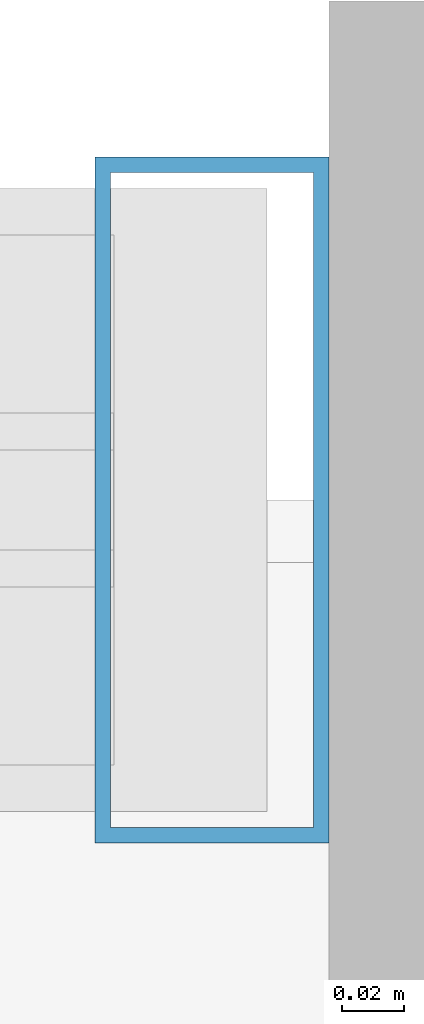
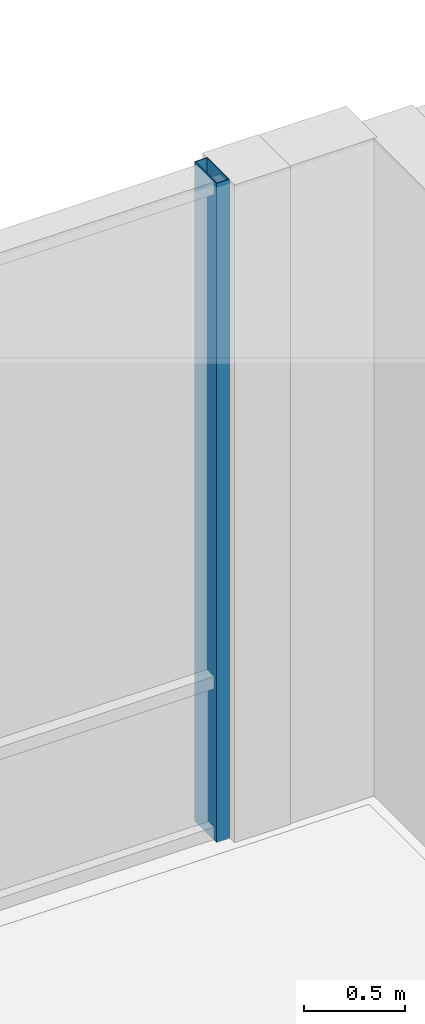
# One storey, part 46 of 115: 1 member, 1 element without a shape of its own.
"""IFC4 building model written with IfcOpenShell, lengths in metres."""

import ifcopenshell
import ifcopenshell.guid

model = None  # the IFC model being written
_history = None  # IfcOwnerHistory: only IFC2X3 demands one
_inside = {}  # id of a spatial element -> (the spatial element, [elements in it])
_under = {}  # id of a project, library or spatial element -> (it, [spatial elements below it])
_declared = {}  # id of a project -> (the project, [libraries it declares])
_typed = {}  # id of a type object -> (the type object, [elements of that type])
_made_of = {}  # id of a material, layer set ... -> (it, [elements and type objects made of it])


def new_model(schema):
    """Start an empty IFC model of exactly this schema.

    Asked for "IFC4X3", IfcOpenShell would pick the latest addendum, in which some entities
    have other attributes; the version numbers below select the first issue.
    IFC2X3 requires an IfcOwnerHistory on every rooted entity: one is made here for all.
    """
    global model, _history
    if schema == "IFC4X3":
        model = ifcopenshell.file(schema_version=(4, 3, 0, 0))
    else:
        model = ifcopenshell.file(schema=schema)
    _inside.clear()
    _under.clear()
    _declared.clear()
    _typed.clear()
    _made_of.clear()
    _history = None
    if model.schema == "IFC2X3":
        org = make("IfcOrganization", Name="unknown")
        user = make(
            "IfcPersonAndOrganization",
            ThePerson=make("IfcPerson", FamilyName="unknown"),
            TheOrganization=org,
        )
        app = make(
            "IfcApplication",
            ApplicationDeveloper=org,
            Version="unknown",
            ApplicationFullName="unknown",
            ApplicationIdentifier="unknown",
        )
        _history = make(
            "IfcOwnerHistory",
            OwningUser=user,
            OwningApplication=app,
            ChangeAction="ADDED",
            CreationDate=0,
        )
    return model


def make(cls, **values):
    """One entity of the class cls with the attributes given. An attribute that is None is left unset."""
    return model.create_entity(
        cls, **{name: value for name, value in values.items() if value is not None}
    )


def rooted(cls, **values):
    """An entity with a GlobalId (a new one), such as an element, a storey or a relation."""
    return make(cls, GlobalId=ifcopenshell.guid.new(), OwnerHistory=_history, **values)


def si_unit(unit_type, name, prefix=None):
    """IfcSIUnit, for example si_unit("LENGTHUNIT", "METRE", prefix="MILLI")."""
    return make("IfcSIUnit", UnitType=unit_type, Prefix=prefix, Name=name)


def assignment(units):
    """IfcUnitAssignment: the units of a project."""
    return None if units is None else make("IfcUnitAssignment", Units=units)


def point(xyz):
    """IfcCartesianPoint."""
    return None if xyz is None else make("IfcCartesianPoint", Coordinates=xyz)


def direction(xyz):
    """IfcDirection."""
    return None if xyz is None else make("IfcDirection", DirectionRatios=xyz)


def frame(location, z_axis=None, x_axis=None):
    """IfcAxis2Placement3D, a coordinate frame: its origin and axes. An axis left out is left unset."""
    return make(
        "IfcAxis2Placement3D",
        Location=point(location),
        Axis=direction(z_axis),
        RefDirection=direction(x_axis),
    )


def frame_2d(location, x_axis=None):
    """IfcAxis2Placement2D, a coordinate frame in the plane: its origin and x axis."""
    return make(
        "IfcAxis2Placement2D", Location=point(location), RefDirection=direction(x_axis)
    )


def origin():
    """The frame at (0, 0, 0) with its axes left unset."""
    return frame((0.0, 0.0, 0.0))


def origin_2d():
    """The frame at (0, 0) in the plane with its x axis left unset."""
    return frame_2d((0.0, 0.0))


def place(relative_to, where):
    """IfcLocalPlacement: puts the frame where relative to a parent placement (None: the world)."""
    return make(
        "IfcLocalPlacement", PlacementRelTo=relative_to, RelativePlacement=where
    )


def context(
    kind, dimensions, precision=None, world=None, true_north=None, identifier=None
):
    """IfcGeometricRepresentationContext, for example the 3D "Model" context."""
    return make(
        "IfcGeometricRepresentationContext",
        ContextIdentifier=identifier,
        ContextType=kind,
        CoordinateSpaceDimension=dimensions,
        Precision=precision,
        WorldCoordinateSystem=world,
        TrueNorth=true_north,
    )


def subcontext(parent, identifier, kind, view, scale=None):
    """IfcGeometricRepresentationSubContext, for example "Body" below "Model"."""
    return make(
        "IfcGeometricRepresentationSubContext",
        ContextIdentifier=identifier,
        ContextType=kind,
        ParentContext=parent,
        TargetScale=scale,
        TargetView=view,
    )


def project(units=None, contexts=None):
    """IfcProject with its units and contexts."""
    return rooted(
        "IfcProject",
        Name="project",
        RepresentationContexts=contexts,
        UnitsInContext=assignment(units),
    )


def spatial(cls, under=None, at=None, **own):
    """A site, building, storey or space (cls), placed at a placement, below another one or the project."""
    s = rooted(cls, ObjectPlacement=at, **own)
    if under is not None:
        _under.setdefault(under.id(), (under, []))[1].append(s)
    return s


def profile(cls, at=None, kind="AREA", **sizes):
    """A parametric profile (cls). Its sizes go by their IFC names, for example OverallWidth=200.0."""
    return make(cls, ProfileType=kind, Position=at, **sizes)


def hollow_rectangle(**sizes):
    """IfcRectangleHollowProfileDef."""
    return profile("IfcRectangleHollowProfileDef", **sizes)


def extrude(swept, where, along, depth):
    """IfcExtrudedAreaSolid: the profile swept, set in the frame where, extruded along a direction by depth."""
    return make(
        "IfcExtrudedAreaSolid",
        SweptArea=swept,
        Position=where,
        ExtrudedDirection=direction(along),
        Depth=depth,
    )


def shape(context_of_items, identifier, shape_type, items):
    """IfcShapeRepresentation: the items that make up one representation, for example the "Body"."""
    return make(
        "IfcShapeRepresentation",
        ContextOfItems=context_of_items,
        RepresentationIdentifier=identifier,
        RepresentationType=shape_type,
        Items=items,
    )


def material(Name=None, Category=None):
    """IfcMaterial."""
    return make("IfcMaterial", Name=Name, Category=Category)


def material_profile(
    of_material, cross_section, Name=None, Category=None, Priority=None
):
    """IfcMaterialProfile: a cross section and its material."""
    return make(
        "IfcMaterialProfile",
        Name=Name,
        Material=of_material,
        Profile=cross_section,
        Priority=Priority,
        Category=Category,
    )


def profile_set(profiles, Name=None, composite=None):
    """IfcMaterialProfileSet."""
    return make(
        "IfcMaterialProfileSet",
        Name=Name,
        MaterialProfiles=profiles,
        CompositeProfile=composite,
    )


def made_of(thing, what):
    """Note that an element or type object is made of a material, layer set ...; save() writes the relation."""
    if what is not None:
        _made_of.setdefault(what.id(), (what, []))[1].append(thing)
    return thing


def type_object(cls, material=None, **own):
    """A type object (cls), such as IfcWallType, which elements share."""
    return made_of(rooted(cls, **own), material)


def element(
    cls,
    number,
    at=None,
    inside=None,
    cuts=None,
    type_object=None,
    material=None,
    context=None,
    identifier="Body",
    shape_type=None,
    held_by="IfcProductDefinitionShape",
    body=None,
    shapes=None,
    **own,
):
    """One element of the class cls, such as IfcWall. Its Tag is "e" and its number.

    at: its placement. inside: the storey or other place that contains it. cuts: it is an
    opening in that element (IfcRelVoidsElement). A single representation is given by context,
    identifier, shape_type and body (its items); several are given by shapes. held_by: the class
    of the entity that holds the representations. save() writes the other relations.
    """
    e = rooted(cls, Tag="e%d" % number, ObjectPlacement=at, **own)
    if body is not None:
        shapes = [shape(context, identifier, shape_type, body)]
    if shapes is not None:
        e.Representation = make(held_by, Representations=shapes)
    if inside is not None:
        _inside.setdefault(inside.id(), (inside, []))[1].append(e)
    if cuts is not None:
        rooted(
            "IfcRelVoidsElement", RelatingBuildingElement=cuts, RelatedOpeningElement=e
        )
    if type_object is not None:
        _typed.setdefault(type_object.id(), (type_object, []))[1].append(e)
    return made_of(e, material)


def aggregate(whole, parts):
    """IfcRelAggregates: a whole, such as a stair, and the parts it consists of."""
    return rooted("IfcRelAggregates", RelatingObject=whole, RelatedObjects=parts)


def save(model, path):
    """Write the relations noted so far, then the file.

    IfcRelAggregates (storeys below a building ...), IfcRelContainedInSpatialStructure (elements
    in a storey), IfcRelDefinesByType, IfcRelAssociatesMaterial and IfcRelDeclares: one each for
    every whole, place, type object, material and project.
    """
    for whole, parts in _under.values():
        aggregate(whole, parts)
    for where, things in _inside.values():
        rooted(
            "IfcRelContainedInSpatialStructure",
            RelatedElements=things,
            RelatingStructure=where,
        )
    for kind, things in _typed.values():
        rooted("IfcRelDefinesByType", RelatedObjects=things, RelatingType=kind)
    for what, things in _made_of.values():
        rooted("IfcRelAssociatesMaterial", RelatedObjects=things, RelatingMaterial=what)
    for by, libraries in _declared.values():
        rooted("IfcRelDeclares", RelatingContext=by, RelatedDefinitions=libraries)
    model.write(path)


model = new_model("IFC4")

# Units and contexts
model_context = context("Model", 3, precision=1e-05, world=origin(), true_north=direction((0.0, 1.0)))
body_context = subcontext(model_context, "Body", "Model", "MODEL_VIEW")
ifc_project = project(units=[si_unit("LENGTHUNIT", "METRE"), si_unit("AREAUNIT", "SQUARE_METRE"), si_unit("VOLUMEUNIT", "CUBIC_METRE"), si_unit("PLANEANGLEUNIT", "RADIAN"), si_unit("MASSUNIT", "GRAM", prefix="KILO")], contexts=[model_context])

# Site, building, storey
site_placement = place(None, origin())
site = spatial("IfcSite", under=ifc_project, at=site_placement, CompositionType="ELEMENT")
building_placement = place(site_placement, origin())
building = spatial("IfcBuilding", under=site, at=building_placement, Name="Hawrajan Terrace Health Centre", CompositionType="ELEMENT")
storey_placement = place(building_placement, frame((0.0, 0.0, 9.0)))
storey = spatial("IfcBuildingStorey", under=building, at=storey_placement, Name="L02", CompositionType="ELEMENT", Elevation=9.0)

# Curtain wall, member
ifc_material_1 = material(Name="Anodized bronze aluminium and low-E solar glazing", Category="aluminium")
curtain_wall_type = type_object("IfcCurtainWallType", Name="CW_Clerestory_SeriesG2", PredefinedType="USERDEFINED", material=ifc_material_1)
curtain_wall_placement = place(storey_placement, origin())
curtain_wall = element("IfcCurtainWall", 1, at=curtain_wall_placement, inside=storey, type_object=curtain_wall_type, Name="Curtain wall CW-L02-137", ObjectType="UNITISED CURTAIN WALL", PredefinedType="USERDEFINED")
ifc_material_2 = material(Name="Anodized bronze aluminium 6063-T6", Category="aluminium")
ifc_material_profile = material_profile(ifc_material_2, hollow_rectangle(XDim=0.074951171875, YDim=0.219970703125, WallThickness=0.0048828125, at=origin_2d()), Name="CW MUL 75x220")
ifc_profile_set = profile_set([ifc_material_profile], Name="Anodized bronze aluminium 6063-T6")
member_type = type_object("IfcMemberType", Name="CWMullion_75x220", PredefinedType="MULLION", material=ifc_profile_set)
member_placement = place(storey_placement, frame((70.802490234375, 59.800048828125, -0.0048828125), z_axis=(0.0, 0.0, 1.0), x_axis=(1.0, 0.0, 0.0)))
member = element("IfcMember", 2, at=member_placement, type_object=member_type, Name="Mullion CW-L02-137-M4", PredefinedType="MULLION", context=body_context, shape_type="SweptSolid", body=[
    extrude(hollow_rectangle(XDim=0.074951171875, YDim=0.219970703125, WallThickness=0.0048828125, at=origin_2d()), origin(), (0.0, 0.0, 1.0), 3.989990234375),
])
aggregate(curtain_wall, [member])

save(model, "model.ifc")
